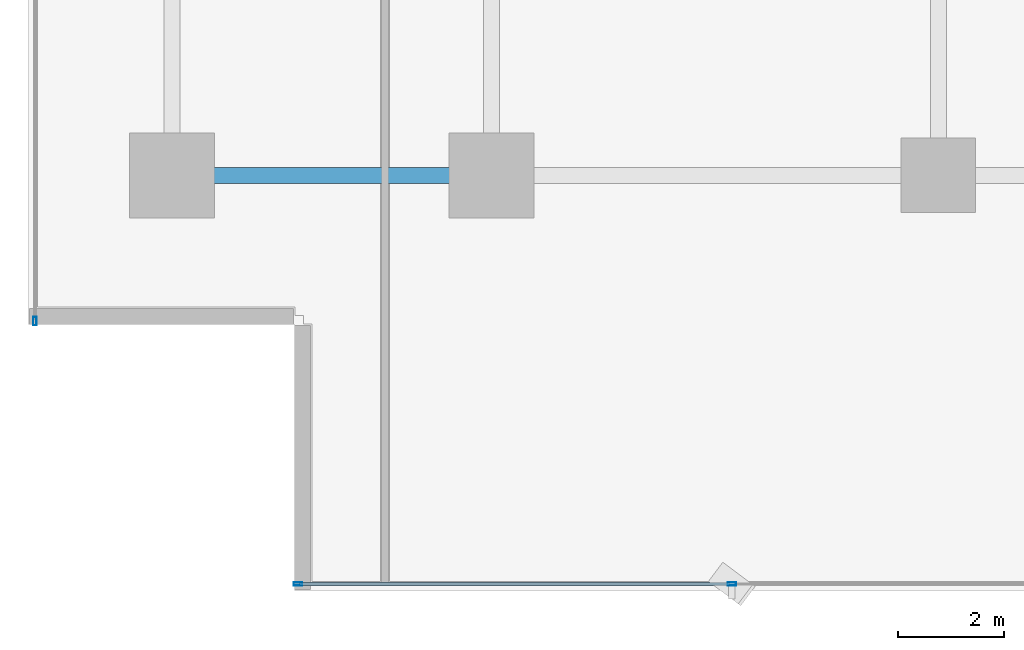
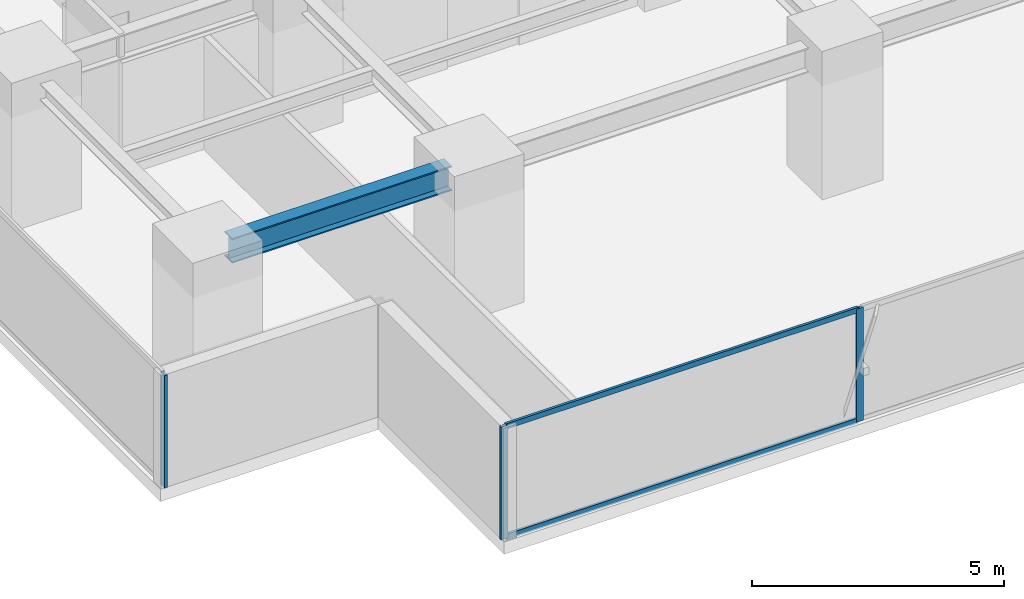
# One storey, part 2 of 36: 5 members, 1 beam, 2 elements without a shape of their own.
"""IFC4 building model written with IfcOpenShell, lengths in metres."""

from ifc_helpers import new_model, si_unit, direction, frame, origin, origin_2d, place, context, subcontext, project, spatial, hollow_rectangle, i_section, extrude, source, transform, mapped, material, layer, layer_set, material_profile, profile_set, type_object, element, aggregate, save


model = new_model("IFC4")

# Units and contexts
model_context = context("Model", 3, precision=1e-05, world=origin(), true_north=direction((0.0, 1.0)))
body_context = subcontext(model_context, "Body", "Model", "MODEL_VIEW")
ifc_project = project(units=[si_unit("LENGTHUNIT", "METRE"), si_unit("AREAUNIT", "SQUARE_METRE"), si_unit("VOLUMEUNIT", "CUBIC_METRE"), si_unit("PLANEANGLEUNIT", "RADIAN"), si_unit("MASSUNIT", "GRAM", prefix="KILO")], contexts=[model_context])

# Site, building, storey
site_placement = place(None, origin())
site = spatial("IfcSite", under=ifc_project, at=site_placement, CompositionType="ELEMENT")
building_placement = place(site_placement, origin())
building = spatial("IfcBuilding", under=site, at=building_placement, Name="Sumidabori Civic Tower", CompositionType="ELEMENT")
storey_placement = place(building_placement, frame((0.0, 0.0, 77.60009765625)))
storey = spatial("IfcBuildingStorey", under=building, at=storey_placement, Name="L19", CompositionType="ELEMENT", Elevation=77.60009765625)

# Beam
ifc_material_1 = material(Name="Steel SN490", Category="steel")
ifc_material_profile_1 = material_profile(ifc_material_1, i_section(OverallWidth=0.300048828125, OverallDepth=0.60009765625, WebThickness=0.015380859375, FlangeThickness=0.030029296875, at=origin_2d()), Name="HE 600 B")
ifc_profile_set_1 = profile_set([ifc_material_profile_1], Name="Steel SN490")
beam_type = type_object("IfcBeamType", Name="BM-GIRD-600", PredefinedType="BEAM", material=ifc_profile_set_1)
shared_shape_1 = source(origin(), body_context, "Body", "SweptSolid", [
    extrude(i_section(OverallWidth=0.300048828125, OverallDepth=0.60009765625, WebThickness=0.015380859375, FlangeThickness=0.030029296875, at=origin_2d()), origin(), (0.0, 0.0, 1.0), 5.0400390625),
])
beam_placement = place(storey_placement, frame((-22.320068359375, -18.0, 3.059814453125), z_axis=(1.0, 0.0, 0.0), x_axis=(0.0, 1.0, 0.0)))
element("IfcBeam", 1, at=beam_placement, inside=storey, type_object=beam_type, Name="Primary Girder L19 GX-01", PredefinedType="BEAM", context=body_context, shape_type="MappedRepresentation", body=[
    mapped(shared_shape_1, transform((0.0, 0.0, 0.0), x_axis=(1.0, 0.0, 0.0), y_axis=(0.0, 1.0, 0.0), z_axis=(0.0, 0.0, 1.0), scale=1.0)),
])

# Curtain wall, members
ifc_material_2 = material(Name="Anodised Bronze Aluminium AW-6063-T6", Category="aluminium")
ifc_layer = layer(ifc_material_2, 0.179931640625, Name="Anodised Bronze Aluminium AW-6063-T6")
ifc_layer_set = layer_set([ifc_layer], Name="Anodised Bronze Aluminium AW-6063-T6")
curtain_wall_type = type_object("IfcCurtainWallType", Name="CW-SYS-3", PredefinedType="NOTDEFINED", material=ifc_layer_set)
curtain_wall_1_placement = place(storey_placement, origin())
curtain_wall_1 = element("IfcCurtainWall", 2, at=curtain_wall_1_placement, inside=storey, type_object=curtain_wall_type, Name="Curtain Wall CW:L19:R01", PredefinedType="NOTDEFINED")
ifc_material_profile_2 = material_profile(ifc_material_2, hollow_rectangle(XDim=0.06494140625, YDim=0.159912109375, WallThickness=0.0048828125, at=origin_2d()), Name="ALU MULLION 160x65")
ifc_profile_set_2 = profile_set([ifc_material_profile_2], Name="Anodised Bronze Aluminium AW-6063-T6")
member_type_1 = type_object("IfcMemberType", Name="CW-MUL-160", PredefinedType="MULLION", material=ifc_profile_set_2)
shared_shape_2 = source(origin(), body_context, "Body", "SweptSolid", [
    extrude(hollow_rectangle(XDim=0.06494140625, YDim=0.159912109375, WallThickness=0.0048828125, at=origin_2d()), origin(), (0.0, 0.0, 1.0), 2.739990234375),
])
member_1_placement = place(storey_placement, frame((-20.4375, -25.679931640625, 0.0), z_axis=(0.0, 0.0, 1.0), x_axis=(0.0, 1.0, 0.0)))
member_1 = element("IfcMember", 3, at=member_1_placement, type_object=member_type_1, Name="CW-3 mullion 1", PredefinedType="MULLION", context=body_context, shape_type="MappedRepresentation", body=[
    mapped(shared_shape_2, transform((0.0, 0.0, 0.0), x_axis=(1.0, 0.0, 0.0), y_axis=(0.0, 1.0, 0.0), z_axis=(0.0, 0.0, 1.0), scale=1.0)),
])
member_2_placement = place(storey_placement, frame((-12.281982421875, -25.679931640625, 0.0), z_axis=(0.0, 0.0, 1.0), x_axis=(0.0, 1.0, 0.0)))
member_2 = element("IfcMember", 4, at=member_2_placement, type_object=member_type_1, Name="CW-3 mullion 2", PredefinedType="MULLION", context=body_context, shape_type="MappedRepresentation", body=[
    mapped(shared_shape_2, transform((0.0, 0.0, 0.0), x_axis=(1.0, 0.0, 0.0), y_axis=(0.0, 1.0, 0.0), z_axis=(0.0, 0.0, 1.0), scale=1.0)),
])

# Curtain wall, member
curtain_wall_2_placement = place(storey_placement, origin())
curtain_wall_2 = element("IfcCurtainWall", 5, at=curtain_wall_2_placement, inside=storey, type_object=curtain_wall_type, Name="Curtain Wall CW:L19:R10", PredefinedType="NOTDEFINED")
member_3_placement = place(storey_placement, frame((-25.3798828125, -20.737548828125, 0.0), z_axis=(0.0, 0.0, 1.0), x_axis=(1.0, 0.0, 0.0)))
member_3 = element("IfcMember", 6, at=member_3_placement, type_object=member_type_1, Name="CW-3 mullion 6", PredefinedType="MULLION", context=body_context, shape_type="MappedRepresentation", body=[
    mapped(shared_shape_2, transform((0.0, 0.0, 0.0), x_axis=(1.0, 0.0, 0.0), y_axis=(0.0, 1.0, 0.0), z_axis=(0.0, 0.0, 1.0), scale=1.0)),
])
aggregate(curtain_wall_2, [member_3])

# Member
ifc_material_profile_3 = material_profile(ifc_material_2, hollow_rectangle(XDim=0.06005859375, YDim=0.1298828125, WallThickness=0.0048828125, at=origin_2d()), Name="ALU TRANSOM 130x60")
ifc_profile_set_3 = profile_set([ifc_material_profile_3], Name="Anodised Bronze Aluminium AW-6063-T6")
member_type_2 = type_object("IfcMemberType", Name="CW-TRN-130", PredefinedType="USERDEFINED", material=ifc_profile_set_3)
shared_shape_3 = source(origin(), body_context, "Body", "SweptSolid", [
    extrude(hollow_rectangle(XDim=0.06005859375, YDim=0.1298828125, WallThickness=0.0048828125, at=origin_2d()), origin(), (0.0, 0.0, 1.0), 8.090576171875),
])
member_4_placement = place(storey_placement, frame((-20.405029296875, -25.679931640625, 0.02978515625), z_axis=(1.0, 0.0, 0.0), x_axis=(0.0, 1.0, 0.0)))
member_4 = element("IfcMember", 7, at=member_4_placement, type_object=member_type_2, Name="CW-3 transom 1.1", ObjectType="TRANSOM", PredefinedType="USERDEFINED", context=body_context, shape_type="MappedRepresentation", body=[
    mapped(shared_shape_3, transform((0.0, 0.0, 0.0), x_axis=(1.0, 0.0, 0.0), y_axis=(0.0, 1.0, 0.0), z_axis=(0.0, 0.0, 1.0), scale=1.0)),
])

member_5_placement = place(storey_placement, frame((-20.405029296875, -25.679931640625, 2.7099609375), z_axis=(1.0, 0.0, 0.0), x_axis=(0.0, 1.0, 0.0)))
member_5 = element("IfcMember", 8, at=member_5_placement, type_object=member_type_2, Name="CW-3 transom 1.2", ObjectType="TRANSOM", PredefinedType="USERDEFINED", context=body_context, shape_type="MappedRepresentation", body=[
    mapped(shared_shape_3, transform((0.0, 0.0, 0.0), x_axis=(1.0, 0.0, 0.0), y_axis=(0.0, 1.0, 0.0), z_axis=(0.0, 0.0, 1.0), scale=1.0)),
])

aggregate(curtain_wall_1, [member_1, member_2, member_4, member_5])

save(model, "model.ifc")
